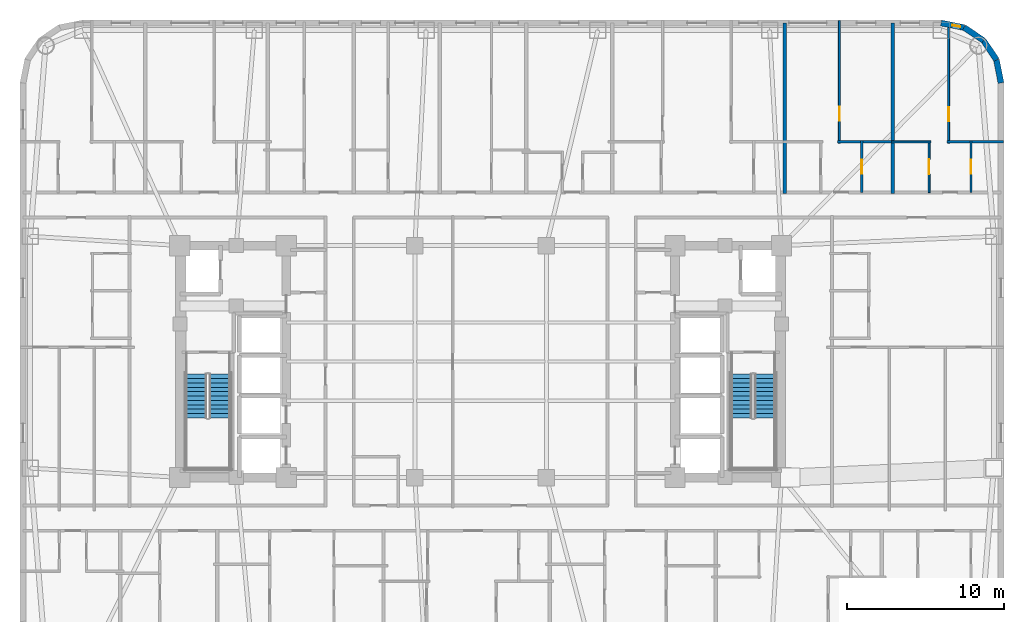
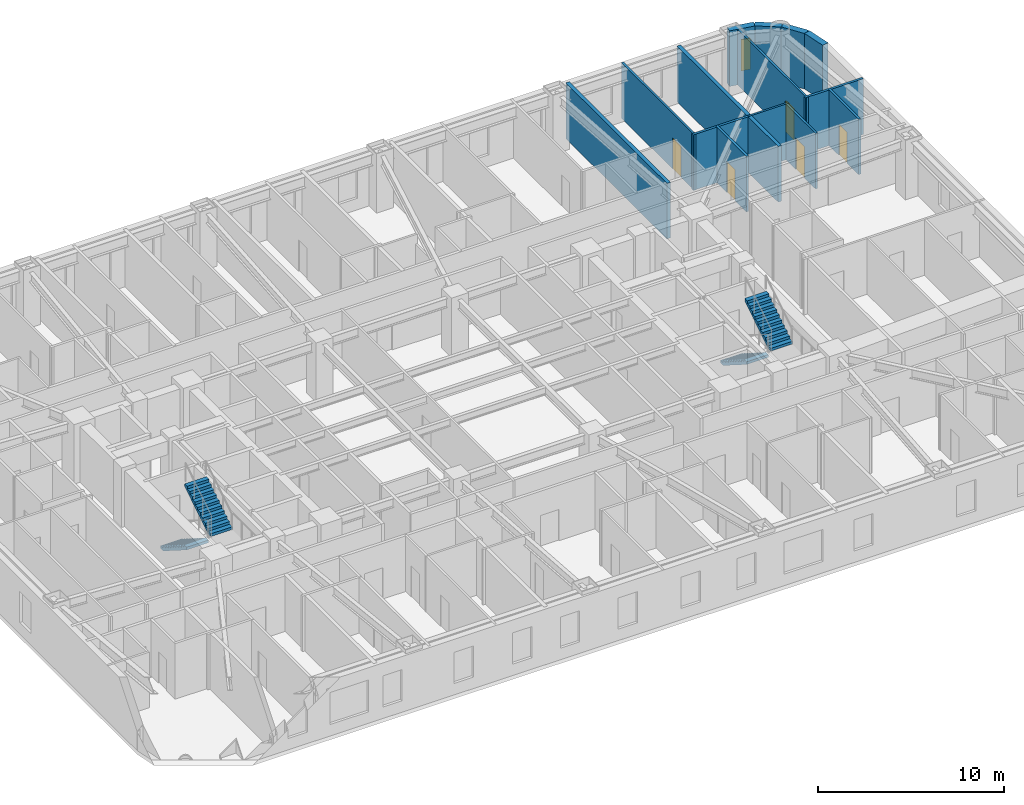
# One storey, part 10 of 12: 14 walls, 5 doors, 4 stair flights, 1 window, 6 openings, 2 elements without a shape of their own.
"""IFC4 building model written with IfcOpenShell, lengths in metres."""

from ifc_helpers import new_model, si_unit, direction, frame, frame_2d, origin, place, context, subcontext, project, spatial, polyline, rectangle, outline, extrude, material, layer, layer_set, type_object, element, fill, aggregate, save


model = new_model("IFC4")

# Units and contexts
model_context = context("Model", 3, precision=1e-05, world=origin(), true_north=direction((0.0, 1.0)))
body_context = subcontext(model_context, "Body", "Model", "MODEL_VIEW")
ifc_project = project(units=[si_unit("LENGTHUNIT", "METRE"), si_unit("AREAUNIT", "SQUARE_METRE"), si_unit("VOLUMEUNIT", "CUBIC_METRE"), si_unit("PLANEANGLEUNIT", "RADIAN"), si_unit("MASSUNIT", "GRAM", prefix="KILO")], contexts=[model_context])

# Site, building, storey
site_placement = place(None, origin())
site = spatial("IfcSite", under=ifc_project, at=site_placement, CompositionType="ELEMENT")
building_placement = place(site_placement, origin())
building = spatial("IfcBuilding", under=site, at=building_placement, Name="Voryun Gate Residences", CompositionType="ELEMENT")
storey_placement = place(building_placement, frame((0.0, 0.0, 132.60009765625)))
storey = spatial("IfcBuildingStorey", under=building, at=storey_placement, Name="L32", CompositionType="ELEMENT", Elevation=132.60009765625)

# Wall, opening, window
ifc_material_1 = material(Name="Granite masonry", Category="masonry")
ifc_layer_1 = layer(ifc_material_1, 0.3798828125, Name="W_EXT_GRANITE_380")
ifc_layer_set_1 = layer_set([ifc_layer_1], Name="Granite masonry")
wall_type_1 = type_object("IfcWallType", Name="W_EXT_GRANITE_380", PredefinedType="ELEMENTEDWALL", material=ifc_layer_set_1)
wall_1_placement = place(storey_placement, frame((29.38134765625, 21.610107421875, 0.0), z_axis=(0.0, 0.0, 1.0), x_axis=(0.980755066645, -0.195242155415, 0.0)))
wall_1 = element("IfcWall", 1, at=wall_1_placement, inside=storey, type_object=wall_type_1, Name="Exterior wall WEXT-L32-12", PredefinedType="ELEMENTEDWALL", context=body_context, shape_type="SweptSolid", body=[
    extrude(rectangle(XDim=1.50439453125, YDim=0.3798828125, at=frame_2d((0.752197265625, 0.0))), origin(), (0.0, 0.0, 1.0), 3.64990234375),
])
opening_1_placement = place(wall_1_placement, frame((0.732177734375, 0.0, 0.75)))
opening_1 = element("IfcOpeningElement", 2, at=opening_1_placement, cuts=wall_1, Name="Opening WN10", PredefinedType="OPENING", context=body_context, shape_type="SweptSolid", body=[
    extrude(rectangle(XDim=0.52001953125, YDim=2.050048828125, at=frame_2d((0.260009765625, 1.02490234375))), frame((0.0, 0.199951171875, 0.0), z_axis=(0.0, -1.0, 0.0), x_axis=(1.0, 0.0, 0.0)), (0.0, 0.0, 1.0), 0.39990234375),
])
ifc_material_2 = material(Name="Laminated low-E glass", Category="glass")
window_type = type_object("IfcWindowType", Name="WN_PAGODA_LANCET_520", PartitioningType="SINGLE_PANEL", PredefinedType="WINDOW", material=ifc_material_2)
window_placement = place(opening_1_placement, origin())
window = element("IfcWindow", 3, at=window_placement, inside=storey, type_object=window_type, Name="Window WN-L32-DWFIX-16", OverallHeight=2.050048828125, OverallWidth=0.52001953125, PartitioningType="SINGLE_PANEL", PredefinedType="WINDOW", context=body_context, shape_type="SweptSolid", body=[
    extrude(rectangle(XDim=0.52001953125, YDim=2.050048828125, at=frame_2d((0.260009765625, 1.02490234375))), frame((0.0, 0.030029296875, 0.0), z_axis=(0.0, -1.0, 0.0), x_axis=(1.0, 0.0, 0.0)), (0.0, 0.0, 1.0), 0.06005859375),
])
fill(opening_1, window)

# Walls
wall_2_placement = place(storey_placement, frame((30.856689453125, 21.31640625, 0.0), z_axis=(0.0, 0.0, 1.0), x_axis=(0.831468045563, -0.555572577804, 0.0)))
element("IfcWall", 4, at=wall_2_placement, inside=storey, type_object=wall_type_1, Name="Exterior wall WEXT-L32-13", PredefinedType="ELEMENTEDWALL", context=body_context, shape_type="SweptSolid", body=[
    extrude(rectangle(XDim=1.48486328125, YDim=0.3798828125, at=frame_2d((0.742431640625, 0.0))), origin(), (0.0, 0.0, 1.0), 3.64990234375),
])
wall_3_placement = place(storey_placement, frame((32.09130859375, 20.491455078125, 0.0), z_axis=(0.0, 0.0, 1.0), x_axis=(0.555610286119, -0.831442848281, 0.0)))
element("IfcWall", 5, at=wall_3_placement, inside=storey, type_object=wall_type_1, Name="Exterior wall WEXT-L32-14", PredefinedType="ELEMENTEDWALL", context=body_context, shape_type="SweptSolid", body=[
    extrude(rectangle(XDim=1.485107421875, YDim=0.3798828125, at=frame_2d((0.74267578125, 0.0))), origin(), (0.0, 0.0, 1.0), 3.64990234375),
])
wall_4_placement = place(storey_placement, frame((32.91650390625, 19.256591796875, 0.0), z_axis=(0.0, 0.0, 1.0), x_axis=(0.195086038585, -0.980786132421, 0.0)))
element("IfcWall", 6, at=wall_4_placement, inside=storey, type_object=wall_type_1, Name="Exterior wall WEXT-L32-15", PredefinedType="ELEMENTEDWALL", context=body_context, shape_type="SweptSolid", body=[
    extrude(rectangle(XDim=1.504150390625, YDim=0.3798828125, at=frame_2d((0.751953125, 0.0))), origin(), (0.0, 0.0, 1.0), 3.64990234375),
])
ifc_material_3 = material(Name="Concrete C40/50", Category="concrete")
ifc_layer_2 = layer(ifc_material_3, 0.219970703125, Name="W_PARTY_ACOUSTIC_220")
ifc_layer_set_2 = layer_set([ifc_layer_2], Name="Concrete C40/50")
wall_type_2 = type_object("IfcWallType", Name="W_PARTY_ACOUSTIC_220", PredefinedType="PARTITIONING", material=ifc_layer_set_2)
for number, where, z_axis, x_axis, name in (
    (7, (19.39990234375, 10.719970703125, 0.0), (0.0, 0.0, 1.0), (0.0, 1.0, 0.0), "Partition wall WP-L32-NPTY-7"),
    (8, (26.30908203125, 10.719970703125, 0.0), (0.0, 0.0, 1.0), (0.0, 1.0, 0.0), "Partition wall WP-L32-NPTY-8"),
):
    element("IfcWall", number, at=place(storey_placement, frame(where, z_axis=z_axis, x_axis=x_axis)), inside=storey, type_object=wall_type_2, Name=name, PredefinedType="PARTITIONING", context=body_context, shape_type="SweptSolid", body=[
        extrude(rectangle(XDim=10.89013671875, YDim=0.219970703125, at=frame_2d((5.445068359375, 0.0))), origin(), (0.0, 0.0, 1.0), 3.64990234375),
    ])

# Wall, opening, door
ifc_material_4 = material(Name="Gypsum acoustic partition")
ifc_layer_3 = layer(ifc_material_4, 0.125, Name="W_UNIT_PART_125")
ifc_layer_set_3 = layer_set([ifc_layer_3], Name="Gypsum acoustic partition")
wall_type_3 = type_object("IfcWallType", Name="W_UNIT_PART_125", PredefinedType="PARTITIONING", material=ifc_layer_set_3)
wall_5_placement = place(storey_placement, frame((22.89892578125, 13.93994140625, 0.0), z_axis=(0.0, 0.0, 1.0), x_axis=(0.0, 1.0, 0.0)))
wall_5 = element("IfcWall", 9, at=wall_5_placement, inside=storey, type_object=wall_type_3, Name="Partition wall WP-L32-N8-OVR", PredefinedType="PARTITIONING", context=body_context, shape_type="SweptSolid", body=[
    extrude(rectangle(XDim=7.820068359375, YDim=0.125, at=frame_2d((3.91015625, 0.0))), origin(), (0.0, 0.0, 1.0), 3.64990234375),
])
opening_2_placement = place(wall_5_placement, frame((1.4267578125, 0.0, 0.0)))
opening_2 = element("IfcOpeningElement", 10, at=opening_2_placement, cuts=wall_5, Name="Opening D-INT-2", PredefinedType="OPENING", context=body_context, shape_type="SweptSolid", body=[
    extrude(rectangle(XDim=0.89990234375, YDim=2.050048828125, at=frame_2d((0.449951171875, 1.02490234375))), frame((0.0, 0.072509765625, 0.0), z_axis=(0.0, -1.0, 0.0), x_axis=(1.0, 0.0, 0.0)), (0.0, 0.0, 1.0), 0.14501953125),
])
ifc_material_5 = material(Name="Architectural oak veneer")
door_type_1 = type_object("IfcDoorType", Name="DR_INT_BATH_900", OperationType="NOTDEFINED", PredefinedType="DOOR", material=ifc_material_5)
door_1_placement = place(opening_2_placement, origin())
door_1 = element("IfcDoor", 11, at=door_1_placement, inside=storey, type_object=door_type_1, Name="Door DR-L32-N8-DMB", OperationType="SINGLE_SWING_RIGHT", OverallHeight=2.050048828125, OverallWidth=0.89990234375, PredefinedType="DOOR", context=body_context, shape_type="SweptSolid", body=[
    extrude(rectangle(XDim=0.89990234375, YDim=2.050048828125, at=frame_2d((0.449951171875, 1.02490234375))), frame((0.0, 0.02490234375, 0.0), z_axis=(0.0, -1.0, 0.0), x_axis=(1.0, 0.0, 0.0)), (0.0, 0.0, 1.0), 0.050048828125),
])
fill(opening_2, door_1)

wall_6_placement = place(storey_placement, frame((29.867919921875, 13.93994140625, 0.0), z_axis=(0.0, 0.0, 1.0), x_axis=(0.0, 1.0, 0.0)))
wall_6 = element("IfcWall", 12, at=wall_6_placement, inside=storey, type_object=wall_type_3, Name="Partition wall WP-L32-N9-OVR", PredefinedType="PARTITIONING", context=body_context, shape_type="SweptSolid", body=[
    extrude(rectangle(XDim=7.72607421875, YDim=0.125, at=frame_2d((3.863037109375, 0.0))), origin(), (0.0, 0.0, 1.0), 3.64990234375),
])
opening_3_placement = place(wall_6_placement, frame((1.404296875, 0.0, 0.0)))
opening_3 = element("IfcOpeningElement", 13, at=opening_3_placement, cuts=wall_6, Name="Opening D-INT-2", PredefinedType="OPENING", context=body_context, shape_type="SweptSolid", body=[
    extrude(rectangle(XDim=0.89990234375, YDim=2.050048828125, at=frame_2d((0.449951171875, 1.02490234375))), frame((0.0, 0.072509765625, 0.0), z_axis=(0.0, -1.0, 0.0), x_axis=(1.0, 0.0, 0.0)), (0.0, 0.0, 1.0), 0.14501953125),
])
door_2_placement = place(opening_3_placement, origin())
door_2 = element("IfcDoor", 14, at=door_2_placement, inside=storey, type_object=door_type_1, Name="Door DR-L32-N9-DMB", OperationType="SINGLE_SWING_RIGHT", OverallHeight=2.050048828125, OverallWidth=0.89990234375, PredefinedType="DOOR", context=body_context, shape_type="SweptSolid", body=[
    extrude(rectangle(XDim=0.89990234375, YDim=2.050048828125, at=frame_2d((0.449951171875, 1.02490234375))), frame((0.0, 0.02490234375, 0.0), z_axis=(0.0, -1.0, 0.0), x_axis=(1.0, 0.0, 0.0)), (0.0, 0.0, 1.0), 0.050048828125),
])
fill(opening_3, door_2)

wall_7_placement = place(storey_placement, frame((28.618896484375, 10.780029296875, 0.0), z_axis=(0.0, 0.0, 1.0), x_axis=(0.0, 1.0, 0.0)))
wall_7 = element("IfcWall", 15, at=wall_7_placement, inside=storey, type_object=wall_type_3, Name="Partition wall WP-L32-N9-IVK", PredefinedType="PARTITIONING", context=body_context, shape_type="SweptSolid", body=[
    extrude(rectangle(XDim=3.320068359375, YDim=0.125, at=frame_2d((1.66015625, 0.0))), origin(), (0.0, 0.0, 1.0), 3.64990234375),
])
opening_4_placement = place(wall_7_placement, frame((1.18505859375, 0.0, 0.0)))
opening_4 = element("IfcOpeningElement", 16, at=opening_4_placement, cuts=wall_7, Name="Opening D-INT-1", PredefinedType="OPENING", context=body_context, shape_type="SweptSolid", body=[
    extrude(rectangle(XDim=0.949951171875, YDim=2.050048828125, at=frame_2d((0.47509765625, 1.02490234375))), frame((0.0, 0.072509765625, 0.0), z_axis=(0.0, -1.0, 0.0), x_axis=(1.0, 0.0, 0.0)), (0.0, 0.0, 1.0), 0.14501953125),
])
ifc_material_6 = material(Name="Architectural oak veneer")
door_type_2 = type_object("IfcDoorType", Name="DR_INT_ROOM_950", OperationType="NOTDEFINED", PredefinedType="DOOR", material=ifc_material_6)
door_3_placement = place(opening_4_placement, origin())
door_3 = element("IfcDoor", 17, at=door_3_placement, inside=storey, type_object=door_type_2, Name="Door DR-L32-N9-DK", OperationType="SINGLE_SWING_LEFT", OverallHeight=2.050048828125, OverallWidth=0.949951171875, PredefinedType="DOOR", context=body_context, shape_type="SweptSolid", body=[
    extrude(rectangle(XDim=0.949951171875, YDim=2.050048828125, at=frame_2d((0.47509765625, 1.02490234375))), frame((0.0, 0.02490234375, 0.0), z_axis=(0.0, -1.0, 0.0), x_axis=(1.0, 0.0, 0.0)), (0.0, 0.0, 1.0), 0.050048828125),
])
fill(opening_4, door_3)

# Walls
wall_8_placement = place(storey_placement, frame((26.23388671875, 14.02001953125, 0.0), z_axis=(0.0, 0.0, 1.0), x_axis=(1.0, 0.0, 0.0)))
element("IfcWall", 18, at=wall_8_placement, inside=storey, type_object=wall_type_3, Name="Partition wall WP-L32-N9-HZK", PredefinedType="PARTITIONING", context=body_context, shape_type="SweptSolid", body=[
    extrude(rectangle(XDim=2.505126953125, YDim=0.125, at=frame_2d((1.25244140625, 0.0))), origin(), (0.0, 0.0, 1.0), 3.64990234375),
])
ifc_material_7 = material(Name="Gypsum moisture-resistant partition")
ifc_layer_4 = layer(ifc_material_7, 0.14990234375, Name="W_WET_PLUMB_150")
ifc_layer_set_4 = layer_set([ifc_layer_4], Name="Gypsum moisture-resistant partition")
wall_type_4 = type_object("IfcWallType", Name="W_WET_PLUMB_150", PredefinedType="PLUMBINGWALL", material=ifc_layer_set_4)
wall_9_placement = place(storey_placement, frame((22.779052734375, 14.02001953125, 0.0), z_axis=(0.0, 0.0, 1.0), x_axis=(1.0, 0.0, 0.0)))
element("IfcWall", 19, at=wall_9_placement, inside=storey, type_object=wall_type_4, Name="Partition wall WP-L32-N8-HZB", PredefinedType="PLUMBINGWALL", context=body_context, shape_type="SweptSolid", body=[
    extrude(rectangle(XDim=3.60498046875, YDim=0.14990234375, at=frame_2d((1.802490234375, 0.0))), origin(), (0.0, 0.0, 1.0), 3.64990234375),
])

# Wall, opening, door
wall_10_placement = place(storey_placement, frame((24.3291015625, 10.780029296875, 0.0), z_axis=(0.0, 0.0, 1.0), x_axis=(0.0, 1.0, 0.0)))
wall_10 = element("IfcWall", 20, at=wall_10_placement, inside=storey, type_object=wall_type_4, Name="Partition wall WP-L32-N8-IVB", PredefinedType="PLUMBINGWALL", context=body_context, shape_type="SweptSolid", body=[
    extrude(rectangle(XDim=3.320068359375, YDim=0.14990234375, at=frame_2d((1.66015625, 0.0))), origin(), (0.0, 0.0, 1.0), 3.64990234375),
])
opening_5_placement = place(wall_10_placement, frame((1.2099609375, 0.0, 0.0)))
opening_5 = element("IfcOpeningElement", 21, at=opening_5_placement, cuts=wall_10, Name="Opening D-INT-2", PredefinedType="OPENING", context=body_context, shape_type="SweptSolid", body=[
    extrude(rectangle(XDim=0.89990234375, YDim=2.050048828125, at=frame_2d((0.449951171875, 1.02490234375))), frame((0.0, 0.0849609375, 0.0), z_axis=(0.0, -1.0, 0.0), x_axis=(1.0, 0.0, 0.0)), (0.0, 0.0, 1.0), 0.169921875),
])
door_4_placement = place(opening_5_placement, origin())
door_4 = element("IfcDoor", 22, at=door_4_placement, inside=storey, type_object=door_type_1, Name="Door DR-L32-N8-DB", OperationType="SINGLE_SWING_RIGHT", OverallHeight=2.050048828125, OverallWidth=0.89990234375, PredefinedType="DOOR", context=body_context, shape_type="SweptSolid", body=[
    extrude(rectangle(XDim=0.89990234375, YDim=2.050048828125, at=frame_2d((0.449951171875, 1.02490234375))), frame((0.0, 0.02490234375, 0.0), z_axis=(0.0, -1.0, 0.0), x_axis=(1.0, 0.0, 0.0)), (0.0, 0.0, 1.0), 0.050048828125),
])
fill(opening_5, door_4)

# Wall
wall_11_placement = place(storey_placement, frame((29.748046875, 14.02001953125, 0.0), z_axis=(0.0, 0.0, 1.0), x_axis=(1.0, 0.0, 0.0)))
element("IfcWall", 23, at=wall_11_placement, inside=storey, type_object=wall_type_4, Name="Partition wall WP-L32-N9-HZB", PredefinedType="PLUMBINGWALL", context=body_context, shape_type="SweptSolid", body=[
    extrude(rectangle(XDim=3.612060546875, YDim=0.14990234375, at=frame_2d((1.80615234375, 0.0))), origin(), (0.0, 0.0, 1.0), 3.64990234375),
])

# Wall, opening, door
wall_12_placement = place(storey_placement, frame((31.298095703125, 10.780029296875, 0.0), z_axis=(0.0, 0.0, 1.0), x_axis=(0.0, 1.0, 0.0)))
wall_12 = element("IfcWall", 24, at=wall_12_placement, inside=storey, type_object=wall_type_4, Name="Partition wall WP-L32-N9-IVB", PredefinedType="PLUMBINGWALL", context=body_context, shape_type="SweptSolid", body=[
    extrude(rectangle(XDim=3.320068359375, YDim=0.14990234375, at=frame_2d((1.66015625, 0.0))), origin(), (0.0, 0.0, 1.0), 3.64990234375),
])
opening_6_placement = place(wall_12_placement, frame((1.2099609375, 0.0, 0.0)))
opening_6 = element("IfcOpeningElement", 25, at=opening_6_placement, cuts=wall_12, Name="Opening D-INT-2", PredefinedType="OPENING", context=body_context, shape_type="SweptSolid", body=[
    extrude(rectangle(XDim=0.89990234375, YDim=2.050048828125, at=frame_2d((0.449951171875, 1.02490234375))), frame((0.0, 0.0849609375, 0.0), z_axis=(0.0, -1.0, 0.0), x_axis=(1.0, 0.0, 0.0)), (0.0, 0.0, 1.0), 0.169921875),
])
door_5_placement = place(opening_6_placement, origin())
door_5 = element("IfcDoor", 26, at=door_5_placement, inside=storey, type_object=door_type_1, Name="Door DR-L32-N9-DB", OperationType="SINGLE_SWING_RIGHT", OverallHeight=2.050048828125, OverallWidth=0.89990234375, PredefinedType="DOOR", context=body_context, shape_type="SweptSolid", body=[
    extrude(rectangle(XDim=0.89990234375, YDim=2.050048828125, at=frame_2d((0.449951171875, 1.02490234375))), frame((0.0, 0.02490234375, 0.0), z_axis=(0.0, -1.0, 0.0), x_axis=(1.0, 0.0, 0.0)), (0.0, 0.0, 1.0), 0.050048828125),
])
fill(opening_6, door_5)

# Stair, stair flights
ifc_material_8 = material(Name="Concrete C40/50", Category="concrete")
stair_type = type_object("IfcStairType", Name="STR_CORE_DOGLEG_1350", PredefinedType="HALF_TURN_STAIR", material=ifc_material_8)
stair_1_placement = place(storey_placement, origin())
stair_1 = element("IfcStair", 27, at=stair_1_placement, inside=storey, type_object=stair_type, Name="L32 Special Escape Stair ST-W1", PredefinedType="HALF_TURN_STAIR")
ifc_material_9 = material(Name="Concrete C40/50", Category="concrete")
stair_flight_type = type_object("IfcStairFlightType", Name="FLT_CORE_1350", PredefinedType="STRAIGHT", material=ifc_material_9)
stair_flight_1_placement = place(storey_placement, frame((-18.14990234375, -0.800048828125, 0.0), z_axis=(0.0, 0.0, 1.0), x_axis=(0.0, -1.0, 0.0)))
stair_flight_1 = element("IfcStairFlight", 28, at=stair_flight_1_placement, type_object=stair_flight_type, Name="ST-W1 flight 1", NumberOfRisers=11, NumberOfTreads=10, PredefinedType="STRAIGHT", RiserHeight=0.177272727, TreadLength=0.28, context=body_context, shape_type="SweptSolid", body=[
    extrude(outline(polyline([(0.0, 0.0), (0.0, 0.17724609375), (0.280029296875, 0.17724609375), (0.280029296875, 0.3544921875), (0.56005859375, 0.3544921875), (0.56005859375, 0.53173828125), (0.840087890625, 0.53173828125), (0.840087890625, 0.708984375), (1.1201171875, 0.708984375), (1.1201171875, 0.886474609375), (1.39990234375, 0.886474609375), (1.39990234375, 1.063720703125), (1.679931640625, 1.063720703125), (1.679931640625, 1.240966796875), (1.9599609375, 1.240966796875), (1.9599609375, 1.418212890625), (2.239990234375, 1.418212890625), (2.239990234375, 1.595458984375), (2.52001953125, 1.595458984375), (2.52001953125, 1.772705078125), (2.800048828125, 1.772705078125), (2.800048828125, 1.949951171875), (2.800048828125, 1.59521484375), (0.2802734375, 0.0), (0.0, 0.0)])), frame((0.0, 0.675048828125, 0.0), z_axis=(0.0, -1.0, 0.0), x_axis=(1.0, 0.0, 0.0)), (0.0, 0.0, 1.0), 1.35009765625),
])
stair_flight_2_placement = place(storey_placement, frame((-16.64990234375, -3.60009765625, 1.949951171875), z_axis=(0.0, 0.0, 1.0), x_axis=(0.0, 1.0, 0.0)))
stair_flight_2 = element("IfcStairFlight", 29, at=stair_flight_2_placement, type_object=stair_flight_type, Name="ST-W1 flight 2", NumberOfRisers=11, NumberOfTreads=10, PredefinedType="STRAIGHT", RiserHeight=0.177272727, TreadLength=0.28, context=body_context, shape_type="SweptSolid", body=[
    extrude(outline(polyline([(0.0, 0.0), (0.0, 0.17724609375), (0.280029296875, 0.17724609375), (0.280029296875, 0.3544921875), (0.56005859375, 0.3544921875), (0.56005859375, 0.53173828125), (0.840087890625, 0.53173828125), (0.840087890625, 0.708984375), (1.1201171875, 0.708984375), (1.1201171875, 0.886474609375), (1.39990234375, 0.886474609375), (1.39990234375, 1.063720703125), (1.679931640625, 1.063720703125), (1.679931640625, 1.240966796875), (1.9599609375, 1.240966796875), (1.9599609375, 1.418212890625), (2.239990234375, 1.418212890625), (2.239990234375, 1.595458984375), (2.52001953125, 1.595458984375), (2.52001953125, 1.772705078125), (2.800048828125, 1.772705078125), (2.800048828125, 1.949951171875), (2.800048828125, 1.59521484375), (0.2802734375, 0.0), (0.0, 0.0)])), frame((0.0, 0.675048828125, 0.0), z_axis=(0.0, -1.0, 0.0), x_axis=(1.0, 0.0, 0.0)), (0.0, 0.0, 1.0), 1.35009765625),
])
aggregate(stair_1, [stair_flight_1, stair_flight_2])

stair_2_placement = place(storey_placement, origin())
stair_2 = element("IfcStair", 30, at=stair_2_placement, inside=storey, type_object=stair_type, Name="L32 Special Escape Stair ST-E1", PredefinedType="HALF_TURN_STAIR")
stair_flight_3_placement = place(storey_placement, frame((16.64990234375, -0.800048828125, 0.0), z_axis=(0.0, 0.0, 1.0), x_axis=(0.0, -1.0, 0.0)))
stair_flight_3 = element("IfcStairFlight", 31, at=stair_flight_3_placement, type_object=stair_flight_type, Name="ST-E1 flight 1", NumberOfRisers=11, NumberOfTreads=10, PredefinedType="STRAIGHT", RiserHeight=0.177272727, TreadLength=0.28, context=body_context, shape_type="SweptSolid", body=[
    extrude(outline(polyline([(0.0, 0.0), (0.0, 0.17724609375), (0.280029296875, 0.17724609375), (0.280029296875, 0.3544921875), (0.56005859375, 0.3544921875), (0.56005859375, 0.53173828125), (0.840087890625, 0.53173828125), (0.840087890625, 0.708984375), (1.1201171875, 0.708984375), (1.1201171875, 0.886474609375), (1.39990234375, 0.886474609375), (1.39990234375, 1.063720703125), (1.679931640625, 1.063720703125), (1.679931640625, 1.240966796875), (1.9599609375, 1.240966796875), (1.9599609375, 1.418212890625), (2.239990234375, 1.418212890625), (2.239990234375, 1.595458984375), (2.52001953125, 1.595458984375), (2.52001953125, 1.772705078125), (2.800048828125, 1.772705078125), (2.800048828125, 1.949951171875), (2.800048828125, 1.59521484375), (0.2802734375, 0.0), (0.0, 0.0)])), frame((0.0, 0.675048828125, 0.0), z_axis=(0.0, -1.0, 0.0), x_axis=(1.0, 0.0, 0.0)), (0.0, 0.0, 1.0), 1.35009765625),
])
stair_flight_4_placement = place(storey_placement, frame((18.14990234375, -3.60009765625, 1.949951171875), z_axis=(0.0, 0.0, 1.0), x_axis=(0.0, 1.0, 0.0)))
stair_flight_4 = element("IfcStairFlight", 32, at=stair_flight_4_placement, type_object=stair_flight_type, Name="ST-E1 flight 2", NumberOfRisers=11, NumberOfTreads=10, PredefinedType="STRAIGHT", RiserHeight=0.177272727, TreadLength=0.28, context=body_context, shape_type="SweptSolid", body=[
    extrude(outline(polyline([(0.0, 0.0), (0.0, 0.17724609375), (0.280029296875, 0.17724609375), (0.280029296875, 0.3544921875), (0.56005859375, 0.3544921875), (0.56005859375, 0.53173828125), (0.840087890625, 0.53173828125), (0.840087890625, 0.708984375), (1.1201171875, 0.708984375), (1.1201171875, 0.886474609375), (1.39990234375, 0.886474609375), (1.39990234375, 1.063720703125), (1.679931640625, 1.063720703125), (1.679931640625, 1.240966796875), (1.9599609375, 1.240966796875), (1.9599609375, 1.418212890625), (2.239990234375, 1.418212890625), (2.239990234375, 1.595458984375), (2.52001953125, 1.595458984375), (2.52001953125, 1.772705078125), (2.800048828125, 1.772705078125), (2.800048828125, 1.949951171875), (2.800048828125, 1.59521484375), (0.2802734375, 0.0), (0.0, 0.0)])), frame((0.0, 0.675048828125, 0.0), z_axis=(0.0, -1.0, 0.0), x_axis=(1.0, 0.0, 0.0)), (0.0, 0.0, 1.0), 1.35009765625),
])
aggregate(stair_2, [stair_flight_3, stair_flight_4])

save(model, "model.ifc")
